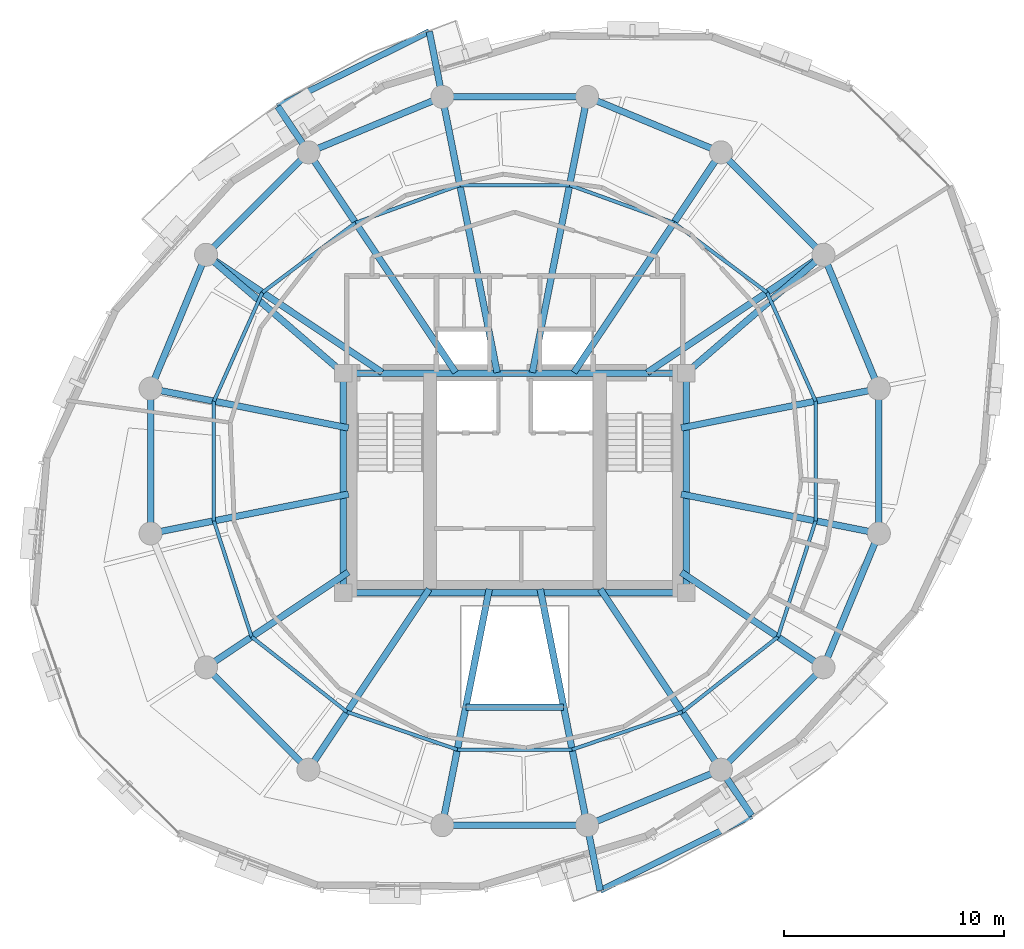
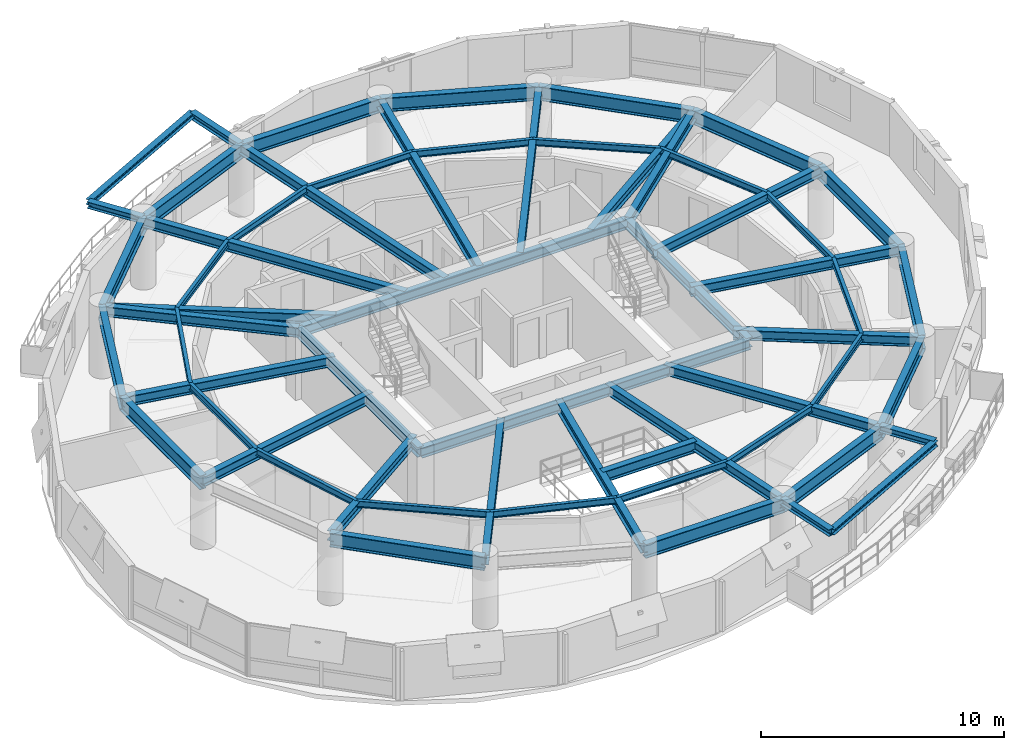
# One storey, part 5 of 12: 59 beams.
"""IFC4 building model written with IfcOpenShell, lengths in metres."""

from ifc_helpers import new_model, si_unit, direction, frame, origin, origin_2d, place, context, subcontext, project, spatial, i_section, extrude, material, material_profile, profile_set, type_object, element, save


model = new_model("IFC4")

# Units and contexts
model_context = context("Model", 3, precision=1e-05, world=origin(), true_north=direction((0.0, 1.0)))
body_context = subcontext(model_context, "Body", "Model", "MODEL_VIEW")
ifc_project = project(units=[si_unit("LENGTHUNIT", "METRE"), si_unit("AREAUNIT", "SQUARE_METRE"), si_unit("VOLUMEUNIT", "CUBIC_METRE"), si_unit("PLANEANGLEUNIT", "RADIAN"), si_unit("MASSUNIT", "GRAM", prefix="KILO"), si_unit("THERMODYNAMICTEMPERATUREUNIT", "KELVIN"), si_unit("POWERUNIT", "WATT")], contexts=[model_context])

# Site, building, storey
site_placement = place(None, origin())
site = spatial("IfcSite", under=ifc_project, at=site_placement, CompositionType="ELEMENT")
building_placement = place(site_placement, origin())
building = spatial("IfcBuilding", under=site, at=building_placement, Name="Ocrelia Relay Tower", CompositionType="ELEMENT")
storey_placement = place(building_placement, frame((0.0, 0.0, 170.0)))
storey = spatial("IfcBuildingStorey", under=building, at=storey_placement, Name="L40", CompositionType="ELEMENT", Elevation=170.0)

# Beams
ifc_material = material(Name="Steel S355", Category="steel")
ifc_material_profile_1 = material_profile(ifc_material, i_section(OverallWidth=0.280029296875, OverallDepth=0.27001953125, WebThickness=0.008056640625, FlangeThickness=0.012939453125, FilletRadius=0.02392578125, at=origin_2d()), Name="HEA 280")
ifc_profile_set_1 = profile_set([ifc_material_profile_1], Name="Steel S355")
beam_type_1 = type_object("IfcBeamType", Name="BM-HEA280", PredefinedType="BEAM", material=ifc_profile_set_1)
for number, where, z_axis, x_axis, name in (
    (1, (30.111083984375, 45.550537109375, 3.2451171875), (-0.89641132157, -0.443223129542, 0.0), (0.443223129542, -0.89641132157, 0.0), "L41 Balcony Edge Trimmer Beam B1"),
    (2, (37.888916015625, 6.449462890625, 3.2451171875), (0.89641132157, 0.443223129542, 0.0), (-0.443223129542, 0.89641132157, 0.0), "L41 Balcony Edge Trimmer Beam B2"),
):
    element("IfcBeam", number, at=place(storey_placement, frame(where, z_axis=z_axis, x_axis=x_axis)), inside=storey, type_object=beam_type_1, Name=name, PredefinedType="BEAM", context=body_context, shape_type="SweptSolid", body=[
        extrude(i_section(OverallWidth=0.280029296875, OverallDepth=0.27001953125, WebThickness=0.008056640625, FlangeThickness=0.012939453125, FilletRadius=0.02392578125, at=origin_2d()), origin(), (0.0, 0.0, 1.0), 7.69287109375),
    ])
ifc_material_profile_2 = material_profile(ifc_material, i_section(OverallWidth=0.300048828125, OverallDepth=0.330078125, WebThickness=0.009521484375, FlangeThickness=0.0166015625, FilletRadius=0.027099609375, at=origin_2d()), Name="HEA 340")
ifc_profile_set_2 = profile_set([ifc_material_profile_2], Name="Steel S355")
beam_type_2 = type_object("IfcBeamType", Name="BM-HEA340", PredefinedType="BEAM", material=ifc_profile_set_2)
beam_1_placement = place(storey_placement, frame((30.702880859375, 42.5751953125, 3.215087890625), z_axis=(-0.19507909516, 0.980787513497, 0.0), x_axis=(-0.980787513497, -0.19507909516, 0.0)))
element("IfcBeam", 3, at=beam_1_placement, inside=storey, type_object=beam_type_2, Name="L41 Balcony Cantilever Beam B1-1", PredefinedType="BEAM", context=body_context, shape_type="SweptSolid", body=[
    extrude(i_section(OverallWidth=0.300048828125, OverallDepth=0.330078125, WebThickness=0.009521484375, FlangeThickness=0.0166015625, FilletRadius=0.027099609375, at=origin_2d()), origin(), (0.0, 0.0, 1.0), 3.03369140625),
])
beam_2_placement = place(storey_placement, frame((24.61083984375, 40.0517578125, 3.215087890625), z_axis=(-0.555529615783, 0.831496750438, 0.0), x_axis=(-0.831496750438, -0.555529615783, 0.0)))
element("IfcBeam", 4, at=beam_2_placement, inside=storey, type_object=beam_type_2, Name="L41 Balcony Cantilever Beam B1-2", PredefinedType="BEAM", context=body_context, shape_type="SweptSolid", body=[
    extrude(i_section(OverallWidth=0.300048828125, OverallDepth=0.330078125, WebThickness=0.009521484375, FlangeThickness=0.0166015625, FilletRadius=0.027099609375, at=origin_2d()), origin(), (0.0, 0.0, 1.0), 2.512451171875),
])
beam_3_placement = place(storey_placement, frame((37.297119140625, 9.4248046875, 3.215087890625), z_axis=(0.19507909516, -0.980787513497, 0.0), x_axis=(0.980787513497, 0.19507909516, 0.0)))
element("IfcBeam", 5, at=beam_3_placement, inside=storey, type_object=beam_type_2, Name="L41 Balcony Cantilever Beam B2-1", PredefinedType="BEAM", context=body_context, shape_type="SweptSolid", body=[
    extrude(i_section(OverallWidth=0.300048828125, OverallDepth=0.330078125, WebThickness=0.009521484375, FlangeThickness=0.0166015625, FilletRadius=0.027099609375, at=origin_2d()), origin(), (0.0, 0.0, 1.0), 3.03369140625),
])
beam_4_placement = place(storey_placement, frame((43.38916015625, 11.9482421875, 3.215087890625), z_axis=(0.555529615783, -0.831496750438, 0.0), x_axis=(0.831496750438, 0.555529615783, 0.0)))
element("IfcBeam", 6, at=beam_4_placement, inside=storey, type_object=beam_type_2, Name="L41 Balcony Cantilever Beam B2-2", PredefinedType="BEAM", context=body_context, shape_type="SweptSolid", body=[
    extrude(i_section(OverallWidth=0.300048828125, OverallDepth=0.330078125, WebThickness=0.009521484375, FlangeThickness=0.0166015625, FilletRadius=0.027099609375, at=origin_2d()), origin(), (0.0, 0.0, 1.0), 2.512451171875),
])
ifc_material_profile_3 = material_profile(ifc_material, i_section(OverallWidth=0.300048828125, OverallDepth=0.5, WebThickness=0.014404296875, FlangeThickness=0.028076171875, FilletRadius=0.027099609375, at=origin_2d()), Name="HEB 500")
ifc_profile_set_3 = profile_set([ifc_material_profile_3], Name="Steel S355")
beam_type_3 = type_object("IfcBeamType", Name="BM-HEB500", PredefinedType="BEAM", material=ifc_profile_set_3)
for number, where, z_axis, x_axis, name in (
    (7, (26.199951171875, 20.0, 3.1298828125), (1.0, 0.0, 0.0), (0.0, 1.0, 0.0), "L40 Core Pilaster Tie Beam S"),
    (8, (26.199951171875, 30.0, 3.1298828125), (1.0, 0.0, 0.0), (0.0, 1.0, 0.0), "L40 Core Pilaster Tie Beam N"),
):
    element("IfcBeam", number, at=place(storey_placement, frame(where, z_axis=z_axis, x_axis=x_axis)), inside=storey, type_object=beam_type_3, Name=name, PredefinedType="BEAM", context=body_context, shape_type="SweptSolid", body=[
        extrude(i_section(OverallWidth=0.300048828125, OverallDepth=0.5, WebThickness=0.014404296875, FlangeThickness=0.028076171875, FilletRadius=0.027099609375, at=origin_2d()), origin(), (0.0, 0.0, 1.0), 15.60009765625),
    ])
for number, where, z_axis, x_axis, name in (
    (9, (26.199951171875, 20.0, 3.1298828125), (0.0, 1.0, 0.0), (-1.0, 0.0, 0.0), "L40 Core Pilaster Tie Beam W"),
    (10, (41.800048828125, 20.0, 3.1298828125), (0.0, 1.0, 0.0), (-1.0, 0.0, 0.0), "L40 Core Pilaster Tie Beam E"),
):
    element("IfcBeam", number, at=place(storey_placement, frame(where, z_axis=z_axis, x_axis=x_axis)), inside=storey, type_object=beam_type_3, Name=name, PredefinedType="BEAM", context=body_context, shape_type="SweptSolid", body=[
        extrude(i_section(OverallWidth=0.300048828125, OverallDepth=0.5, WebThickness=0.014404296875, FlangeThickness=0.028076171875, FilletRadius=0.027099609375, at=origin_2d()), origin(), (0.0, 0.0, 1.0), 10.0),
    ])
beam_5_placement = place(storey_placement, frame((50.5751953125, 29.297119140625, 3.1298828125), z_axis=(-0.980783891197, -0.1950973059, 0.0), x_axis=(0.1950973059, -0.980783891197, 0.0)))
element("IfcBeam", 11, at=beam_5_placement, inside=storey, type_object=beam_type_3, Name="L40 Radial Floor Girder R01", PredefinedType="BEAM", context=body_context, shape_type="SweptSolid", body=[
    extrude(i_section(OverallWidth=0.300048828125, OverallDepth=0.5, WebThickness=0.014404296875, FlangeThickness=0.028076171875, FilletRadius=0.027099609375, at=origin_2d()), origin(), (0.0, 0.0, 1.0), 9.17138671875),
])
beam_6_placement = place(storey_placement, frame((48.0517578125, 35.38916015625, 3.1298828125), z_axis=(-0.831469666235, -0.555570152305, 0.0), x_axis=(0.555570152305, -0.831469666235, 0.0)))
element("IfcBeam", 12, at=beam_6_placement, inside=storey, type_object=beam_type_3, Name="L40 Radial Floor Girder R02", PredefinedType="BEAM", context=body_context, shape_type="SweptSolid", body=[
    extrude(i_section(OverallWidth=0.300048828125, OverallDepth=0.5, WebThickness=0.014404296875, FlangeThickness=0.028076171875, FilletRadius=0.027099609375, at=origin_2d()), origin(), (0.0, 0.0, 1.0), 9.646240234375),
])
beam_7_placement = place(storey_placement, frame((48.0517578125, 35.38916015625, 3.1298828125), z_axis=(-0.757424589403, -0.652922653434, 0.0), x_axis=(0.652922653434, -0.757424589403, 0.0)))
element("IfcBeam", 13, at=beam_7_placement, inside=storey, type_object=beam_type_3, Name="L40 Core Pilaster Frame Tie Beam PT02", PredefinedType="BEAM", context=body_context, shape_type="SweptSolid", body=[
    extrude(i_section(OverallWidth=0.300048828125, OverallDepth=0.5, WebThickness=0.014404296875, FlangeThickness=0.028076171875, FilletRadius=0.027099609375, at=origin_2d()), origin(), (0.0, 0.0, 1.0), 8.25390625),
])
beam_8_placement = place(storey_placement, frame((43.38916015625, 40.0517578125, 3.1298828125), z_axis=(-0.55556932408, -0.831470219636, 0.0), x_axis=(0.831470219636, -0.55556932408, 0.0)))
element("IfcBeam", 14, at=beam_8_placement, inside=storey, type_object=beam_type_3, Name="L40 Radial Floor Girder R03", PredefinedType="BEAM", context=body_context, shape_type="SweptSolid", body=[
    extrude(i_section(OverallWidth=0.300048828125, OverallDepth=0.5, WebThickness=0.014404296875, FlangeThickness=0.028076171875, FilletRadius=0.027099609375, at=origin_2d()), origin(), (0.0, 0.0, 1.0), 12.052978515625),
])
for number, where, z_axis, x_axis, name in (
    (15, (37.297119140625, 42.5751953125, 3.1298828125), (-0.195106626135, -0.980782037171, 0.0), (0.980782037171, -0.195106626135, 0.0), "L40 Radial Floor Girder R04"),
    (16, (30.702880859375, 42.5751953125, 3.1298828125), (0.195106626135, -0.980782037171, 0.0), (0.980782037171, 0.195106626135, 0.0), "L40 Radial Floor Girder R05"),
):
    element("IfcBeam", number, at=place(storey_placement, frame(where, z_axis=z_axis, x_axis=x_axis)), inside=storey, type_object=beam_type_3, Name=name, PredefinedType="BEAM", context=body_context, shape_type="SweptSolid", body=[
        extrude(i_section(OverallWidth=0.300048828125, OverallDepth=0.5, WebThickness=0.014404296875, FlangeThickness=0.028076171875, FilletRadius=0.027099609375, at=origin_2d()), origin(), (0.0, 0.0, 1.0), 12.791015625),
    ])
beam_9_placement = place(storey_placement, frame((24.61083984375, 40.0517578125, 3.1298828125), z_axis=(0.55556932408, -0.831470219636, 0.0), x_axis=(0.831470219636, 0.55556932408, 0.0)))
element("IfcBeam", 17, at=beam_9_placement, inside=storey, type_object=beam_type_3, Name="L40 Radial Floor Girder R06", PredefinedType="BEAM", context=body_context, shape_type="SweptSolid", body=[
    extrude(i_section(OverallWidth=0.300048828125, OverallDepth=0.5, WebThickness=0.014404296875, FlangeThickness=0.028076171875, FilletRadius=0.027099609375, at=origin_2d()), origin(), (0.0, 0.0, 1.0), 12.052978515625),
])
beam_10_placement = place(storey_placement, frame((19.9482421875, 35.38916015625, 3.1298828125), z_axis=(0.831469666235, -0.555570152305, 0.0), x_axis=(0.555570152305, 0.831469666235, 0.0)))
element("IfcBeam", 18, at=beam_10_placement, inside=storey, type_object=beam_type_3, Name="L40 Radial Floor Girder R07", PredefinedType="BEAM", context=body_context, shape_type="SweptSolid", body=[
    extrude(i_section(OverallWidth=0.300048828125, OverallDepth=0.5, WebThickness=0.014404296875, FlangeThickness=0.028076171875, FilletRadius=0.027099609375, at=origin_2d()), origin(), (0.0, 0.0, 1.0), 9.646240234375),
])
beam_11_placement = place(storey_placement, frame((19.9482421875, 35.38916015625, 3.1298828125), z_axis=(0.757424589403, -0.652922653434, 0.0), x_axis=(0.652922653434, 0.757424589403, 0.0)))
element("IfcBeam", 19, at=beam_11_placement, inside=storey, type_object=beam_type_3, Name="L40 Core Pilaster Frame Tie Beam PT07", PredefinedType="BEAM", context=body_context, shape_type="SweptSolid", body=[
    extrude(i_section(OverallWidth=0.300048828125, OverallDepth=0.5, WebThickness=0.014404296875, FlangeThickness=0.028076171875, FilletRadius=0.027099609375, at=origin_2d()), origin(), (0.0, 0.0, 1.0), 8.25390625),
])
for number, where, z_axis, x_axis, name in (
    (20, (17.4248046875, 29.297119140625, 3.1298828125), (0.980784683446, -0.195093323097, 0.0), (0.195093323097, 0.980784683446, 0.0), "L40 Radial Floor Girder R08"),
    (21, (17.4248046875, 22.702880859375, 3.1298828125), (0.980784683446, 0.195093323097, 0.0), (-0.195093323097, 0.980784683446, 0.0), "L40 Radial Floor Girder R09"),
):
    element("IfcBeam", number, at=place(storey_placement, frame(where, z_axis=z_axis, x_axis=x_axis)), inside=storey, type_object=beam_type_3, Name=name, PredefinedType="BEAM", context=body_context, shape_type="SweptSolid", body=[
        extrude(i_section(OverallWidth=0.300048828125, OverallDepth=0.5, WebThickness=0.014404296875, FlangeThickness=0.028076171875, FilletRadius=0.027099609375, at=origin_2d()), origin(), (0.0, 0.0, 1.0), 9.181640625),
    ])
beam_12_placement = place(storey_placement, frame((19.9482421875, 16.61083984375, 3.1298828125), z_axis=(0.831462012084, 0.555581607382, 0.0), x_axis=(-0.555581607382, 0.831462012084, 0.0)))
element("IfcBeam", 22, at=beam_12_placement, inside=storey, type_object=beam_type_3, Name="L40 Radial Floor Girder R10", PredefinedType="BEAM", context=body_context, shape_type="SweptSolid", body=[
    extrude(i_section(OverallWidth=0.300048828125, OverallDepth=0.5, WebThickness=0.014404296875, FlangeThickness=0.028076171875, FilletRadius=0.027099609375, at=origin_2d()), origin(), (0.0, 0.0, 1.0), 7.795654296875),
])
beam_13_placement = place(storey_placement, frame((24.61083984375, 11.9482421875, 3.1298828125), z_axis=(0.555577337069, 0.831464865485, 0.0), x_axis=(-0.831464865485, 0.555577337069, 0.0)))
element("IfcBeam", 23, at=beam_13_placement, inside=storey, type_object=beam_type_3, Name="L40 Radial Floor Girder R11", PredefinedType="BEAM", context=body_context, shape_type="SweptSolid", body=[
    extrude(i_section(OverallWidth=0.300048828125, OverallDepth=0.5, WebThickness=0.014404296875, FlangeThickness=0.028076171875, FilletRadius=0.027099609375, at=origin_2d()), origin(), (0.0, 0.0, 1.0), 9.88818359375),
])
for number, where, z_axis, x_axis, name in (
    (24, (30.702880859375, 9.4248046875, 3.1298828125), (0.195100373206, 0.980783281044, 0.0), (-0.980783281044, 0.195100373206, 0.0), "L40 Radial Floor Girder R12"),
    (25, (37.297119140625, 9.4248046875, 3.1298828125), (-0.195100373206, 0.980783281044, 0.0), (-0.980783281044, -0.195100373206, 0.0), "L40 Radial Floor Girder R13"),
):
    element("IfcBeam", number, at=place(storey_placement, frame(where, z_axis=z_axis, x_axis=x_axis)), inside=storey, type_object=beam_type_3, Name=name, PredefinedType="BEAM", context=body_context, shape_type="SweptSolid", body=[
        extrude(i_section(OverallWidth=0.300048828125, OverallDepth=0.5, WebThickness=0.014404296875, FlangeThickness=0.028076171875, FilletRadius=0.027099609375, at=origin_2d()), origin(), (0.0, 0.0, 1.0), 10.95556640625),
    ])
beam_14_placement = place(storey_placement, frame((43.38916015625, 11.9482421875, 3.1298828125), z_axis=(-0.555577337069, 0.831464865485, 0.0), x_axis=(-0.831464865485, -0.555577337069, 0.0)))
element("IfcBeam", 26, at=beam_14_placement, inside=storey, type_object=beam_type_3, Name="L40 Radial Floor Girder R14", PredefinedType="BEAM", context=body_context, shape_type="SweptSolid", body=[
    extrude(i_section(OverallWidth=0.300048828125, OverallDepth=0.5, WebThickness=0.014404296875, FlangeThickness=0.028076171875, FilletRadius=0.027099609375, at=origin_2d()), origin(), (0.0, 0.0, 1.0), 9.88818359375),
])
beam_15_placement = place(storey_placement, frame((48.0517578125, 16.61083984375, 3.1298828125), z_axis=(-0.831456272244, 0.555590197309, 0.0), x_axis=(-0.555590197309, -0.831456272244, 0.0)))
element("IfcBeam", 27, at=beam_15_placement, inside=storey, type_object=beam_type_3, Name="L40 Radial Floor Girder R15", PredefinedType="BEAM", context=body_context, shape_type="SweptSolid", body=[
    extrude(i_section(OverallWidth=0.300048828125, OverallDepth=0.5, WebThickness=0.014404296875, FlangeThickness=0.028076171875, FilletRadius=0.027099609375, at=origin_2d()), origin(), (0.0, 0.0, 1.0), 7.783447265625),
])
beam_16_placement = place(storey_placement, frame((50.5751953125, 22.702880859375, 3.1298828125), z_axis=(-0.980783891197, 0.1950973059, 0.0), x_axis=(-0.1950973059, -0.980783891197, 0.0)))
element("IfcBeam", 28, at=beam_16_placement, inside=storey, type_object=beam_type_3, Name="L40 Radial Floor Girder R16", PredefinedType="BEAM", context=body_context, shape_type="SweptSolid", body=[
    extrude(i_section(OverallWidth=0.300048828125, OverallDepth=0.5, WebThickness=0.014404296875, FlangeThickness=0.028076171875, FilletRadius=0.027099609375, at=origin_2d()), origin(), (0.0, 0.0, 1.0), 9.17138671875),
])
ifc_material_profile_4 = material_profile(ifc_material, i_section(OverallWidth=0.300048828125, OverallDepth=0.550048828125, WebThickness=0.014892578125, FlangeThickness=0.029052734375, FilletRadius=0.027099609375, at=origin_2d()), Name="HEB 550")
ifc_profile_set_4 = profile_set([ifc_material_profile_4], Name="Steel S355")
beam_type_4 = type_object("IfcBeamType", Name="BM-HEB550", PredefinedType="BEAM", material=ifc_profile_set_4)
beam_17_placement = place(storey_placement, frame((31.772216796875, 14.800048828125, 3.10498046875), z_axis=(1.0, 0.0, 0.0), x_axis=(0.0, 1.0, 0.0)))
element("IfcBeam", 29, at=beam_17_placement, inside=storey, type_object=beam_type_4, Name="L40 Atrium South Trimmer Beam", PredefinedType="BEAM", context=body_context, shape_type="SweptSolid", body=[
    extrude(i_section(OverallWidth=0.300048828125, OverallDepth=0.550048828125, WebThickness=0.014892578125, FlangeThickness=0.029052734375, FilletRadius=0.027099609375, at=origin_2d()), origin(), (0.0, 0.0, 1.0), 4.45556640625),
])
ifc_material_profile_5 = material_profile(ifc_material, i_section(OverallWidth=0.300048828125, OverallDepth=0.699951171875, WebThickness=0.01708984375, FlangeThickness=0.031982421875, FilletRadius=0.027099609375, at=origin_2d()), Name="HEB 700")
ifc_profile_set_5 = profile_set([ifc_material_profile_5], Name="Steel S355")
beam_type_5 = type_object("IfcBeamType", Name="BM-HEB700", PredefinedType="BEAM", material=ifc_profile_set_5)
for number, where, z_axis, x_axis, name in (
    (30, (50.5751953125, 29.297119140625, 3.030029296875), (-0.382687508402, 0.923877844151, 0.0), (-0.923877844151, -0.382687508402, 0.0), "L40 Perimeter Spandrel Beam S01"),
    (31, (48.0517578125, 35.38916015625, 3.030029296875), (-0.707106781187, 0.707106781187, 0.0), (-0.707106781187, -0.707106781187, 0.0), "L40 Perimeter Spandrel Beam S02"),
    (32, (43.38916015625, 40.0517578125, 3.030029296875), (-0.923877844151, 0.382687508402, 0.0), (-0.382687508402, -0.923877844151, 0.0), "L40 Perimeter Spandrel Beam S03"),
):
    element("IfcBeam", number, at=place(storey_placement, frame(where, z_axis=z_axis, x_axis=x_axis)), inside=storey, type_object=beam_type_5, Name=name, PredefinedType="BEAM", context=body_context, shape_type="SweptSolid", body=[
        extrude(i_section(OverallWidth=0.300048828125, OverallDepth=0.699951171875, WebThickness=0.01708984375, FlangeThickness=0.031982421875, FilletRadius=0.027099609375, at=origin_2d()), origin(), (0.0, 0.0, 1.0), 6.593994140625),
    ])
beam_18_placement = place(storey_placement, frame((37.297119140625, 42.5751953125, 3.030029296875), z_axis=(-1.0, 0.0, 0.0), x_axis=(0.0, -1.0, 0.0)))
element("IfcBeam", 33, at=beam_18_placement, inside=storey, type_object=beam_type_5, Name="L40 Perimeter Spandrel Beam S04", PredefinedType="BEAM", context=body_context, shape_type="SweptSolid", body=[
    extrude(i_section(OverallWidth=0.300048828125, OverallDepth=0.699951171875, WebThickness=0.01708984375, FlangeThickness=0.031982421875, FilletRadius=0.027099609375, at=origin_2d()), origin(), (0.0, 0.0, 1.0), 6.59423828125),
])
for number, where, z_axis, x_axis, name in (
    (34, (30.702880859375, 42.5751953125, 3.030029296875), (-0.923877844151, -0.382687508402, 0.0), (0.382687508402, -0.923877844151, 0.0), "L40 Perimeter Spandrel Beam S05"),
    (35, (24.61083984375, 40.0517578125, 3.030029296875), (-0.707106781187, -0.707106781187, 0.0), (0.707106781187, -0.707106781187, 0.0), "L40 Perimeter Spandrel Beam S06"),
    (36, (19.9482421875, 35.38916015625, 3.030029296875), (-0.382687508402, -0.923877844151, 0.0), (0.923877844151, -0.382687508402, 0.0), "L40 Perimeter Spandrel Beam S07"),
):
    element("IfcBeam", number, at=place(storey_placement, frame(where, z_axis=z_axis, x_axis=x_axis)), inside=storey, type_object=beam_type_5, Name=name, PredefinedType="BEAM", context=body_context, shape_type="SweptSolid", body=[
        extrude(i_section(OverallWidth=0.300048828125, OverallDepth=0.699951171875, WebThickness=0.01708984375, FlangeThickness=0.031982421875, FilletRadius=0.027099609375, at=origin_2d()), origin(), (0.0, 0.0, 1.0), 6.593994140625),
    ])
beam_19_placement = place(storey_placement, frame((17.4248046875, 29.297119140625, 3.030029296875), z_axis=(0.0, -1.0, 0.0), x_axis=(1.0, 0.0, 0.0)))
element("IfcBeam", 37, at=beam_19_placement, inside=storey, type_object=beam_type_5, Name="L40 Perimeter Spandrel Beam S08", PredefinedType="BEAM", context=body_context, shape_type="SweptSolid", body=[
    extrude(i_section(OverallWidth=0.300048828125, OverallDepth=0.699951171875, WebThickness=0.01708984375, FlangeThickness=0.031982421875, FilletRadius=0.027099609375, at=origin_2d()), origin(), (0.0, 0.0, 1.0), 6.59423828125),
])
beam_20_placement = place(storey_placement, frame((19.9482421875, 16.61083984375, 3.030029296875), z_axis=(0.707106781187, -0.707106781187, 0.0), x_axis=(0.707106781187, 0.707106781187, 0.0)))
element("IfcBeam", 38, at=beam_20_placement, inside=storey, type_object=beam_type_5, Name="L40 Perimeter Spandrel Beam S10", PredefinedType="BEAM", context=body_context, shape_type="SweptSolid", body=[
    extrude(i_section(OverallWidth=0.300048828125, OverallDepth=0.699951171875, WebThickness=0.01708984375, FlangeThickness=0.031982421875, FilletRadius=0.027099609375, at=origin_2d()), origin(), (0.0, 0.0, 1.0), 6.593994140625),
])
beam_21_placement = place(storey_placement, frame((30.702880859375, 9.4248046875, 3.030029296875), z_axis=(1.0, 0.0, 0.0), x_axis=(0.0, 1.0, 0.0)))
element("IfcBeam", 39, at=beam_21_placement, inside=storey, type_object=beam_type_5, Name="L40 Perimeter Spandrel Beam S12", PredefinedType="BEAM", context=body_context, shape_type="SweptSolid", body=[
    extrude(i_section(OverallWidth=0.300048828125, OverallDepth=0.699951171875, WebThickness=0.01708984375, FlangeThickness=0.031982421875, FilletRadius=0.027099609375, at=origin_2d()), origin(), (0.0, 0.0, 1.0), 6.59423828125),
])
for number, where, z_axis, x_axis, name in (
    (40, (37.297119140625, 9.4248046875, 3.030029296875), (0.923877844151, 0.382687508402, 0.0), (-0.382687508402, 0.923877844151, 0.0), "L40 Perimeter Spandrel Beam S13"),
    (41, (43.38916015625, 11.9482421875, 3.030029296875), (0.707106781187, 0.707106781187, 0.0), (-0.707106781187, 0.707106781187, 0.0), "L40 Perimeter Spandrel Beam S14"),
    (42, (48.0517578125, 16.61083984375, 3.030029296875), (0.382687508402, 0.923877844151, 0.0), (-0.923877844151, 0.382687508402, 0.0), "L40 Perimeter Spandrel Beam S15"),
):
    element("IfcBeam", number, at=place(storey_placement, frame(where, z_axis=z_axis, x_axis=x_axis)), inside=storey, type_object=beam_type_5, Name=name, PredefinedType="BEAM", context=body_context, shape_type="SweptSolid", body=[
        extrude(i_section(OverallWidth=0.300048828125, OverallDepth=0.699951171875, WebThickness=0.01708984375, FlangeThickness=0.031982421875, FilletRadius=0.027099609375, at=origin_2d()), origin(), (0.0, 0.0, 1.0), 6.593994140625),
    ])
beam_22_placement = place(storey_placement, frame((50.5751953125, 22.702880859375, 3.030029296875), z_axis=(0.0, 1.0, 0.0), x_axis=(-1.0, 0.0, 0.0)))
element("IfcBeam", 43, at=beam_22_placement, inside=storey, type_object=beam_type_5, Name="L40 Perimeter Spandrel Beam S16", PredefinedType="BEAM", context=body_context, shape_type="SweptSolid", body=[
    extrude(i_section(OverallWidth=0.300048828125, OverallDepth=0.699951171875, WebThickness=0.01708984375, FlangeThickness=0.031982421875, FilletRadius=0.027099609375, at=origin_2d()), origin(), (0.0, 0.0, 1.0), 6.59423828125),
])
ifc_material_profile_6 = material_profile(ifc_material, i_section(OverallWidth=0.159912109375, OverallDepth=0.330078125, WebThickness=0.007568359375, FlangeThickness=0.011474609375, FilletRadius=0.01806640625, at=origin_2d()), Name="IPE 330")
ifc_profile_set_6 = profile_set([ifc_material_profile_6], Name="Steel S355")
beam_type_6 = type_object("IfcBeamType", Name="BM-IPE330", PredefinedType="JOIST", material=ifc_profile_set_6)
beam_23_placement = place(storey_placement, frame((47.69677734375, 28.724365234375, 3.215087890625), z_axis=(-0.407938464853, 0.913009424318, 0.0), x_axis=(-0.913009424318, -0.407938464853, 0.0)))
element("IfcBeam", 44, at=beam_23_placement, inside=storey, type_object=beam_type_6, Name="L40 Secondary Floor Joist J01", PredefinedType="JOIST", context=body_context, shape_type="SweptSolid", body=[
    extrude(i_section(OverallWidth=0.159912109375, OverallDepth=0.330078125, WebThickness=0.007568359375, FlangeThickness=0.011474609375, FilletRadius=0.01806640625, at=origin_2d()), origin(), (0.0, 0.0, 1.0), 5.421630859375),
])
beam_24_placement = place(storey_placement, frame((45.485107421875, 33.67431640625, 3.215087890625), z_axis=(-0.800785247359, 0.598951573678, 0.0), x_axis=(-0.598951573678, -0.800785247359, 0.0)))
element("IfcBeam", 45, at=beam_24_placement, inside=storey, type_object=beam_type_6, Name="L40 Secondary Floor Joist J02", PredefinedType="JOIST", context=body_context, shape_type="SweptSolid", body=[
    extrude(i_section(OverallWidth=0.159912109375, OverallDepth=0.330078125, WebThickness=0.007568359375, FlangeThickness=0.011474609375, FilletRadius=0.01806640625, at=origin_2d()), origin(), (0.0, 0.0, 1.0), 5.293212890625),
])
beam_25_placement = place(storey_placement, frame((41.246337890625, 36.8447265625, 3.215087890625), z_axis=(-0.940453871246, 0.339921338046, 0.0), x_axis=(-0.339921338046, -0.940453871246, 0.0)))
element("IfcBeam", 46, at=beam_25_placement, inside=storey, type_object=beam_type_6, Name="L40 Secondary Floor Joist J03", PredefinedType="JOIST", context=body_context, shape_type="SweptSolid", body=[
    extrude(i_section(OverallWidth=0.159912109375, OverallDepth=0.330078125, WebThickness=0.007568359375, FlangeThickness=0.011474609375, FilletRadius=0.01806640625, at=origin_2d()), origin(), (0.0, 0.0, 1.0), 5.04833984375),
])
beam_26_placement = place(storey_placement, frame((36.49853515625, 38.560791015625, 3.215087890625), z_axis=(-1.0, 0.0, 0.0), x_axis=(0.0, -1.0, 0.0)))
element("IfcBeam", 47, at=beam_26_placement, inside=storey, type_object=beam_type_6, Name="L40 Secondary Floor Joist J04", PredefinedType="JOIST", context=body_context, shape_type="SweptSolid", body=[
    extrude(i_section(OverallWidth=0.159912109375, OverallDepth=0.330078125, WebThickness=0.007568359375, FlangeThickness=0.011474609375, FilletRadius=0.01806640625, at=origin_2d()), origin(), (0.0, 0.0, 1.0), 4.9970703125),
])
beam_27_placement = place(storey_placement, frame((31.50146484375, 38.560791015625, 3.215087890625), z_axis=(-0.940453871246, -0.339921338046, 0.0), x_axis=(0.339921338046, -0.940453871246, 0.0)))
element("IfcBeam", 48, at=beam_27_placement, inside=storey, type_object=beam_type_6, Name="L40 Secondary Floor Joist J05", PredefinedType="JOIST", context=body_context, shape_type="SweptSolid", body=[
    extrude(i_section(OverallWidth=0.159912109375, OverallDepth=0.330078125, WebThickness=0.007568359375, FlangeThickness=0.011474609375, FilletRadius=0.01806640625, at=origin_2d()), origin(), (0.0, 0.0, 1.0), 5.04833984375),
])
beam_28_placement = place(storey_placement, frame((26.753662109375, 36.8447265625, 3.215087890625), z_axis=(-0.800785247359, -0.598951573678, 0.0), x_axis=(0.598951573678, -0.800785247359, 0.0)))
element("IfcBeam", 49, at=beam_28_placement, inside=storey, type_object=beam_type_6, Name="L40 Secondary Floor Joist J06", PredefinedType="JOIST", context=body_context, shape_type="SweptSolid", body=[
    extrude(i_section(OverallWidth=0.159912109375, OverallDepth=0.330078125, WebThickness=0.007568359375, FlangeThickness=0.011474609375, FilletRadius=0.01806640625, at=origin_2d()), origin(), (0.0, 0.0, 1.0), 5.293212890625),
])
beam_29_placement = place(storey_placement, frame((22.514892578125, 33.67431640625, 3.215087890625), z_axis=(-0.407416785709, -0.913242335157, 0.0), x_axis=(0.913242335157, -0.407416785709, 0.0)))
element("IfcBeam", 50, at=beam_29_placement, inside=storey, type_object=beam_type_6, Name="L40 Secondary Floor Joist J07", PredefinedType="JOIST", context=body_context, shape_type="SweptSolid", body=[
    extrude(i_section(OverallWidth=0.159912109375, OverallDepth=0.330078125, WebThickness=0.007568359375, FlangeThickness=0.011474609375, FilletRadius=0.01806640625, at=origin_2d()), origin(), (0.0, 0.0, 1.0), 5.420654296875),
])
beam_30_placement = place(storey_placement, frame((20.306396484375, 28.723876953125, 3.215087890625), z_axis=(0.0, -1.0, 0.0), x_axis=(1.0, 0.0, 0.0)))
element("IfcBeam", 51, at=beam_30_placement, inside=storey, type_object=beam_type_6, Name="L40 Secondary Floor Joist J08", PredefinedType="JOIST", context=body_context, shape_type="SweptSolid", body=[
    extrude(i_section(OverallWidth=0.159912109375, OverallDepth=0.330078125, WebThickness=0.007568359375, FlangeThickness=0.011474609375, FilletRadius=0.01806640625, at=origin_2d()), origin(), (0.0, 0.0, 1.0), 5.44775390625),
])
beam_31_placement = place(storey_placement, frame((20.306396484375, 23.276123046875, 3.215087890625), z_axis=(0.309133805786, -0.951018554036, 0.0), x_axis=(0.951018554036, 0.309133805786, 0.0)))
element("IfcBeam", 52, at=beam_31_placement, inside=storey, type_object=beam_type_6, Name="L40 Secondary Floor Joist J09", PredefinedType="JOIST", context=body_context, shape_type="SweptSolid", body=[
    extrude(i_section(OverallWidth=0.159912109375, OverallDepth=0.330078125, WebThickness=0.007568359375, FlangeThickness=0.011474609375, FilletRadius=0.01806640625, at=origin_2d()), origin(), (0.0, 0.0, 1.0), 5.55126953125),
])
beam_32_placement = place(storey_placement, frame((22.0224609375, 17.996826171875, 3.215087890625), z_axis=(0.786083859045, -0.618119864224, 0.0), x_axis=(0.618119864224, 0.786083859045, 0.0)))
element("IfcBeam", 53, at=beam_32_placement, inside=storey, type_object=beam_type_6, Name="L40 Secondary Floor Joist J10", PredefinedType="JOIST", context=body_context, shape_type="SweptSolid", body=[
    extrude(i_section(OverallWidth=0.159912109375, OverallDepth=0.330078125, WebThickness=0.007568359375, FlangeThickness=0.011474609375, FilletRadius=0.01806640625, at=origin_2d()), origin(), (0.0, 0.0, 1.0), 5.529296875),
])
beam_33_placement = place(storey_placement, frame((26.368896484375, 14.5791015625, 3.215087890625), z_axis=(0.946215174492, -0.323538009454, 0.0), x_axis=(0.323538009454, 0.946215174492, 0.0)))
element("IfcBeam", 54, at=beam_33_placement, inside=storey, type_object=beam_type_6, Name="L40 Secondary Floor Joist J11", PredefinedType="JOIST", context=body_context, shape_type="SweptSolid", body=[
    extrude(i_section(OverallWidth=0.159912109375, OverallDepth=0.330078125, WebThickness=0.007568359375, FlangeThickness=0.011474609375, FilletRadius=0.01806640625, at=origin_2d()), origin(), (0.0, 0.0, 1.0), 5.30322265625),
])
beam_34_placement = place(storey_placement, frame((31.386962890625, 12.86328125, 3.215087890625), z_axis=(1.0, 0.0, 0.0), x_axis=(0.0, 1.0, 0.0)))
element("IfcBeam", 55, at=beam_34_placement, inside=storey, type_object=beam_type_6, Name="L40 Secondary Floor Joist J12", PredefinedType="JOIST", context=body_context, shape_type="SweptSolid", body=[
    extrude(i_section(OverallWidth=0.159912109375, OverallDepth=0.330078125, WebThickness=0.007568359375, FlangeThickness=0.011474609375, FilletRadius=0.01806640625, at=origin_2d()), origin(), (0.0, 0.0, 1.0), 5.22607421875),
])
beam_35_placement = place(storey_placement, frame((36.613037109375, 12.86328125, 3.215087890625), z_axis=(0.946215174492, 0.323538009454, 0.0), x_axis=(-0.323538009454, 0.946215174492, 0.0)))
element("IfcBeam", 56, at=beam_35_placement, inside=storey, type_object=beam_type_6, Name="L40 Secondary Floor Joist J13", PredefinedType="JOIST", context=body_context, shape_type="SweptSolid", body=[
    extrude(i_section(OverallWidth=0.159912109375, OverallDepth=0.330078125, WebThickness=0.007568359375, FlangeThickness=0.011474609375, FilletRadius=0.01806640625, at=origin_2d()), origin(), (0.0, 0.0, 1.0), 5.30322265625),
])
beam_36_placement = place(storey_placement, frame((41.631103515625, 14.5791015625, 3.215087890625), z_axis=(0.78649600233, 0.617595367793, 0.0), x_axis=(-0.617595367793, 0.78649600233, 0.0)))
element("IfcBeam", 57, at=beam_36_placement, inside=storey, type_object=beam_type_6, Name="L40 Secondary Floor Joist J14", PredefinedType="JOIST", context=body_context, shape_type="SweptSolid", body=[
    extrude(i_section(OverallWidth=0.159912109375, OverallDepth=0.330078125, WebThickness=0.007568359375, FlangeThickness=0.011474609375, FilletRadius=0.01806640625, at=origin_2d()), origin(), (0.0, 0.0, 1.0), 5.5302734375),
])
beam_37_placement = place(storey_placement, frame((45.980712890625, 17.99462890625, 3.215087890625), z_axis=(0.309043322978, 0.95104796121, 0.0), x_axis=(-0.95104796121, 0.309043322978, 0.0)))
element("IfcBeam", 58, at=beam_37_placement, inside=storey, type_object=beam_type_6, Name="L40 Secondary Floor Joist J15", PredefinedType="JOIST", context=body_context, shape_type="SweptSolid", body=[
    extrude(i_section(OverallWidth=0.159912109375, OverallDepth=0.330078125, WebThickness=0.007568359375, FlangeThickness=0.011474609375, FilletRadius=0.01806640625, at=origin_2d()), origin(), (0.0, 0.0, 1.0), 5.552734375),
])
beam_38_placement = place(storey_placement, frame((47.69677734375, 23.275634765625, 3.215087890625), z_axis=(0.0, 1.0, 0.0), x_axis=(-1.0, 0.0, 0.0)))
element("IfcBeam", 59, at=beam_38_placement, inside=storey, type_object=beam_type_6, Name="L40 Secondary Floor Joist J16", PredefinedType="JOIST", context=body_context, shape_type="SweptSolid", body=[
    extrude(i_section(OverallWidth=0.159912109375, OverallDepth=0.330078125, WebThickness=0.007568359375, FlangeThickness=0.011474609375, FilletRadius=0.01806640625, at=origin_2d()), origin(), (0.0, 0.0, 1.0), 5.44873046875),
])

save(model, "model.ifc")
